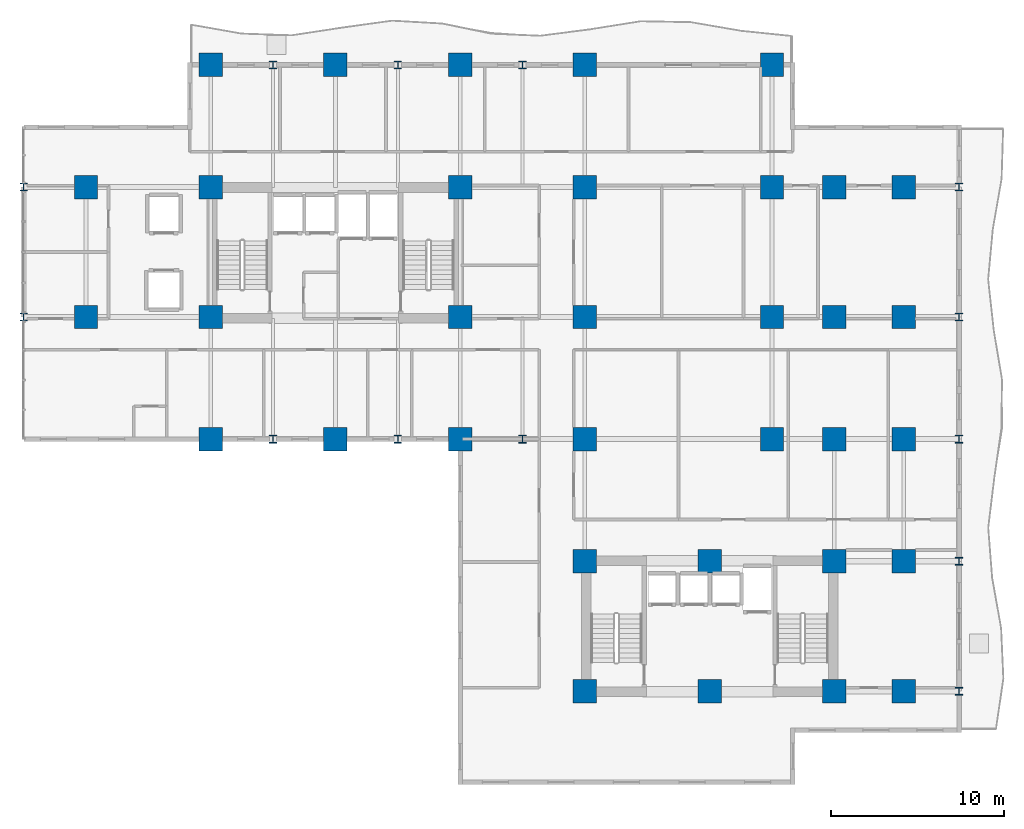
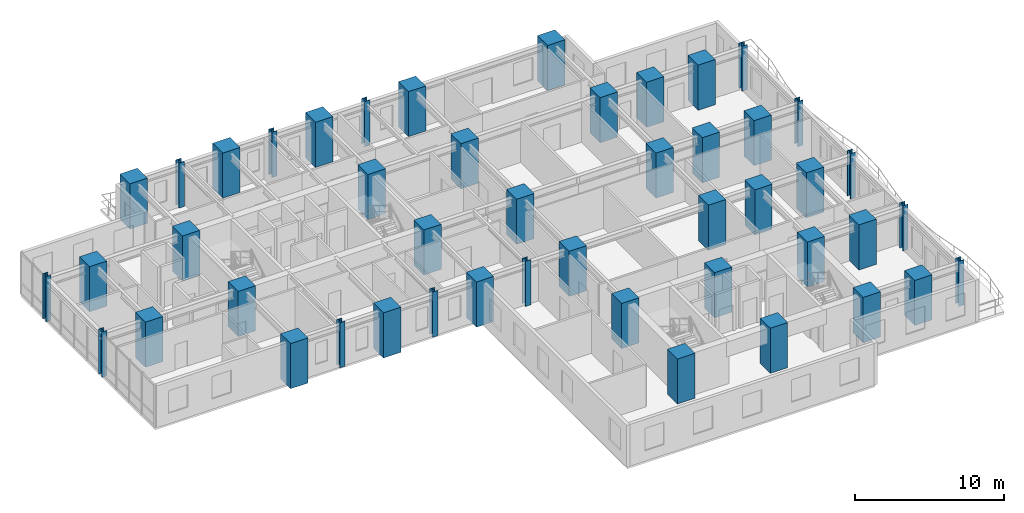
# One storey, part 1 of 17: 47 columns.
"""IFC4 building model written with IfcOpenShell, lengths in metres."""

from ifc_helpers import new_model, si_unit, direction, frame, origin, origin_2d, place, context, subcontext, project, spatial, rectangle, i_section, extrude, source, transform, mapped, material, material_profile, profile_set, type_object, element, save


model = new_model("IFC4")

# Units and contexts
model_context = context("Model", 3, precision=1e-05, world=origin(), true_north=direction((0.0, 1.0)))
body_context = subcontext(model_context, "Body", "Model", "MODEL_VIEW")
ifc_project = project(units=[si_unit("LENGTHUNIT", "METRE"), si_unit("AREAUNIT", "SQUARE_METRE"), si_unit("VOLUMEUNIT", "CUBIC_METRE"), si_unit("PLANEANGLEUNIT", "RADIAN"), si_unit("MASSUNIT", "GRAM", prefix="KILO")], contexts=[model_context])

# Site, building, storey
site_placement = place(None, origin())
site = spatial("IfcSite", under=ifc_project, at=site_placement, CompositionType="ELEMENT")
building_placement = place(site_placement, origin())
building = spatial("IfcBuilding", under=site, at=building_placement, Name="Kaliganga Portal Commons", CompositionType="ELEMENT")
storey_placement = place(building_placement, frame((0.0, 0.0, 62.300048828125)))
storey = spatial("IfcBuildingStorey", under=building, at=storey_placement, Name="L15", CompositionType="ELEMENT", Elevation=62.300048828125)

# Columns
ifc_material_1 = material(Name="Concrete C70/85", Category="concrete")
ifc_material_profile_1 = material_profile(ifc_material_1, rectangle(XDim=1.35009765625, YDim=1.35009765625, at=origin_2d()), Name="RC 1350x1350")
ifc_profile_set_1 = profile_set([ifc_material_profile_1], Name="Concrete C70/85")
column_type_1 = type_object("IfcColumnType", Name="COL-MEGA-Z1", PredefinedType="COLUMN", material=ifc_profile_set_1)
shared_shape_1 = source(origin(), body_context, "Body", "SweptSolid", [
    extrude(rectangle(XDim=1.35009765625, YDim=1.35009765625, at=origin_2d()), origin(), (0.0, 0.0, 1.0), 3.699951171875),
])
for number, where, z_axis, x_axis, name in (
    (1, (7.199951171875, 28.64990234375, 0.0), (0.0, 0.0, 1.0), (1.0, 0.0, 0.0), "Column MC-02 L15"),
    (2, (7.199951171875, 36.14990234375, 0.0), (0.0, 0.0, 1.0), (1.0, 0.0, 0.0), "Column MC-02 L15"),
    (3, (14.39990234375, 21.60009765625, 0.0), (0.0, 0.0, 1.0), (1.0, 0.0, 0.0), "Column MC-02 L15"),
    (4, (14.39990234375, 28.64990234375, 0.0), (0.0, 0.0, 1.0), (1.0, 0.0, 0.0), "Column MC-02 L15"),
    (5, (14.39990234375, 36.14990234375, 0.0), (0.0, 0.0, 1.0), (1.0, 0.0, 0.0), "Column MC-02 L15"),
    (6, (14.39990234375, 43.199951171875, 0.0), (0.0, 0.0, 1.0), (1.0, 0.0, 0.0), "Column MC-02 L15"),
    (7, (21.60009765625, 21.60009765625, 0.0), (0.0, 0.0, 1.0), (1.0, 0.0, 0.0), "Column MC-02 L15"),
    (8, (21.60009765625, 43.199951171875, 0.0), (0.0, 0.0, 1.0), (1.0, 0.0, 0.0), "Column MC-02 L15"),
    (9, (28.800048828125, 21.60009765625, 0.0), (0.0, 0.0, 1.0), (1.0, 0.0, 0.0), "Column MC-02 L15"),
    (10, (28.800048828125, 28.64990234375, 0.0), (0.0, 0.0, 1.0), (1.0, 0.0, 0.0), "Column MC-02 L15"),
    (11, (28.800048828125, 36.14990234375, 0.0), (0.0, 0.0, 1.0), (1.0, 0.0, 0.0), "Column MC-02 L15"),
    (12, (28.800048828125, 43.199951171875, 0.0), (0.0, 0.0, 1.0), (1.0, 0.0, 0.0), "Column MC-02 L15"),
    (13, (36.0, 21.60009765625, 0.0), (0.0, 0.0, 1.0), (1.0, 0.0, 0.0), "Column MC-02 L15"),
    (14, (36.0, 43.199951171875, 0.0), (0.0, 0.0, 1.0), (1.0, 0.0, 0.0), "Column MC-02 L15"),
    (15, (36.0, 28.64990234375, 0.0), (0.0, 0.0, 1.0), (1.0, 0.0, 0.0), "Column MC-02 L15"),
    (16, (36.0, 36.14990234375, 0.0), (0.0, 0.0, 1.0), (1.0, 0.0, 0.0), "Column MC-02 L15"),
    (17, (46.800048828125, 21.60009765625, 0.0), (0.0, 0.0, 1.0), (1.0, 0.0, 0.0), "Column MC-02 L15"),
    (18, (46.800048828125, 28.64990234375, 0.0), (0.0, 0.0, 1.0), (1.0, 0.0, 0.0), "Column MC-02 L15"),
    (19, (46.800048828125, 36.14990234375, 0.0), (0.0, 0.0, 1.0), (1.0, 0.0, 0.0), "Column MC-02 L15"),
    (20, (46.800048828125, 43.199951171875, 0.0), (0.0, 0.0, 1.0), (1.0, 0.0, 0.0), "Column MC-02 L15"),
    (21, (36.0, 7.050048828125, 0.0), (0.0, 0.0, 1.0), (1.0, 0.0, 0.0), "Column MC-02 L15"),
    (22, (36.0, 14.550048828125, 0.0), (0.0, 0.0, 1.0), (1.0, 0.0, 0.0), "Column MC-02 L15"),
    (23, (43.199951171875, 7.050048828125, 0.0), (0.0, 0.0, 1.0), (1.0, 0.0, 0.0), "Column MC-02 L15"),
    (24, (43.199951171875, 14.550048828125, 0.0), (0.0, 0.0, 1.0), (1.0, 0.0, 0.0), "Column MC-02 L15"),
    (25, (50.39990234375, 7.050048828125, 0.0), (0.0, 0.0, 1.0), (1.0, 0.0, 0.0), "Column MC-02 L15"),
    (26, (50.39990234375, 14.550048828125, 0.0), (0.0, 0.0, 1.0), (1.0, 0.0, 0.0), "Column MC-02 L15"),
    (27, (50.39990234375, 21.60009765625, 0.0), (0.0, 0.0, 1.0), (1.0, 0.0, 0.0), "Column MC-02 L15"),
    (28, (50.39990234375, 28.64990234375, 0.0), (0.0, 0.0, 1.0), (1.0, 0.0, 0.0), "Column MC-02 L15"),
    (29, (50.39990234375, 36.14990234375, 0.0), (0.0, 0.0, 1.0), (1.0, 0.0, 0.0), "Column MC-02 L15"),
    (30, (54.39990234375, 7.050048828125, 0.0), (0.0, 0.0, 1.0), (1.0, 0.0, 0.0), "Column MC-02 L15"),
    (31, (54.39990234375, 14.550048828125, 0.0), (0.0, 0.0, 1.0), (1.0, 0.0, 0.0), "Column MC-02 L15"),
    (32, (54.39990234375, 21.60009765625, 0.0), (0.0, 0.0, 1.0), (1.0, 0.0, 0.0), "Column MC-02 L15"),
    (33, (54.39990234375, 28.64990234375, 0.0), (0.0, 0.0, 1.0), (1.0, 0.0, 0.0), "Column MC-02 L15"),
    (34, (54.39990234375, 36.14990234375, 0.0), (0.0, 0.0, 1.0), (1.0, 0.0, 0.0), "Column MC-02 L15"),
):
    element("IfcColumn", number, at=place(storey_placement, frame(where, z_axis=z_axis, x_axis=x_axis)), inside=storey, type_object=column_type_1, Name=name, PredefinedType="COLUMN", context=body_context, shape_type="MappedRepresentation", body=[
        mapped(shared_shape_1, transform((0.0, 0.0, 0.0), x_axis=(1.0, 0.0, 0.0), y_axis=(0.0, 1.0, 0.0), z_axis=(0.0, 0.0, 1.0), scale=1.0)),
    ])
ifc_material_2 = material(Name="Structural steel S460M", Category="steel")
ifc_material_profile_2 = material_profile(ifc_material_2, i_section(OverallWidth=0.416015625, OverallDepth=0.446044921875, WebThickness=0.029052734375, FlangeThickness=0.0400390625, FilletRadius=0.014892578125, at=origin_2d()), Name="HD 400x509")
ifc_profile_set_2 = profile_set([ifc_material_profile_2], Name="Structural steel S460M wide-flange")
column_type_2 = type_object("IfcColumnType", Name="COL-TUBE-B1", PredefinedType="COLUMN", material=ifc_profile_set_2)
shared_shape_2 = source(origin(), body_context, "Body", "SweptSolid", [
    extrude(i_section(OverallWidth=0.416015625, OverallDepth=0.446044921875, WebThickness=0.029052734375, FlangeThickness=0.0400390625, FilletRadius=0.014892578125, at=origin_2d()), origin(), (0.0, 0.0, 1.0), 3.699951171875),
])
for number, where, z_axis, x_axis, name in (
    (35, (3.60009765625, 28.64990234375, 0.0), (0.0, 0.0, 1.0), (1.0, 0.0, 0.0), "Column TC-01 L15"),
    (36, (3.60009765625, 36.14990234375, 0.0), (0.0, 0.0, 1.0), (1.0, 0.0, 0.0), "Column TC-01 L15"),
    (37, (18.0, 21.60009765625, 0.0), (0.0, 0.0, 1.0), (1.0, 0.0, 0.0), "Column TC-01 L15"),
    (38, (18.0, 43.199951171875, 0.0), (0.0, 0.0, 1.0), (1.0, 0.0, 0.0), "Column TC-01 L15"),
    (39, (25.199951171875, 21.60009765625, 0.0), (0.0, 0.0, 1.0), (1.0, 0.0, 0.0), "Column TC-01 L15"),
    (40, (25.199951171875, 43.199951171875, 0.0), (0.0, 0.0, 1.0), (1.0, 0.0, 0.0), "Column TC-01 L15"),
    (41, (32.39990234375, 21.60009765625, 0.0), (0.0, 0.0, 1.0), (1.0, 0.0, 0.0), "Column TC-01 L15"),
    (42, (32.39990234375, 43.199951171875, 0.0), (0.0, 0.0, 1.0), (1.0, 0.0, 0.0), "Column TC-01 L15"),
    (43, (57.60009765625, 7.050048828125, 0.0), (0.0, 0.0, 1.0), (1.0, 0.0, 0.0), "Column TC-01 L15"),
    (44, (57.60009765625, 14.550048828125, 0.0), (0.0, 0.0, 1.0), (1.0, 0.0, 0.0), "Column TC-01 L15"),
    (45, (57.60009765625, 21.60009765625, 0.0), (0.0, 0.0, 1.0), (1.0, 0.0, 0.0), "Column TC-01 L15"),
    (46, (57.60009765625, 28.64990234375, 0.0), (0.0, 0.0, 1.0), (1.0, 0.0, 0.0), "Column TC-01 L15"),
    (47, (57.60009765625, 36.14990234375, 0.0), (0.0, 0.0, 1.0), (1.0, 0.0, 0.0), "Column TC-01 L15"),
):
    element("IfcColumn", number, at=place(storey_placement, frame(where, z_axis=z_axis, x_axis=x_axis)), inside=storey, type_object=column_type_2, Name=name, PredefinedType="COLUMN", context=body_context, shape_type="MappedRepresentation", body=[
        mapped(shared_shape_2, transform((0.0, 0.0, 0.0), x_axis=(1.0, 0.0, 0.0), y_axis=(0.0, 1.0, 0.0), z_axis=(0.0, 0.0, 1.0), scale=1.0)),
    ])

save(model, "model.ifc")
